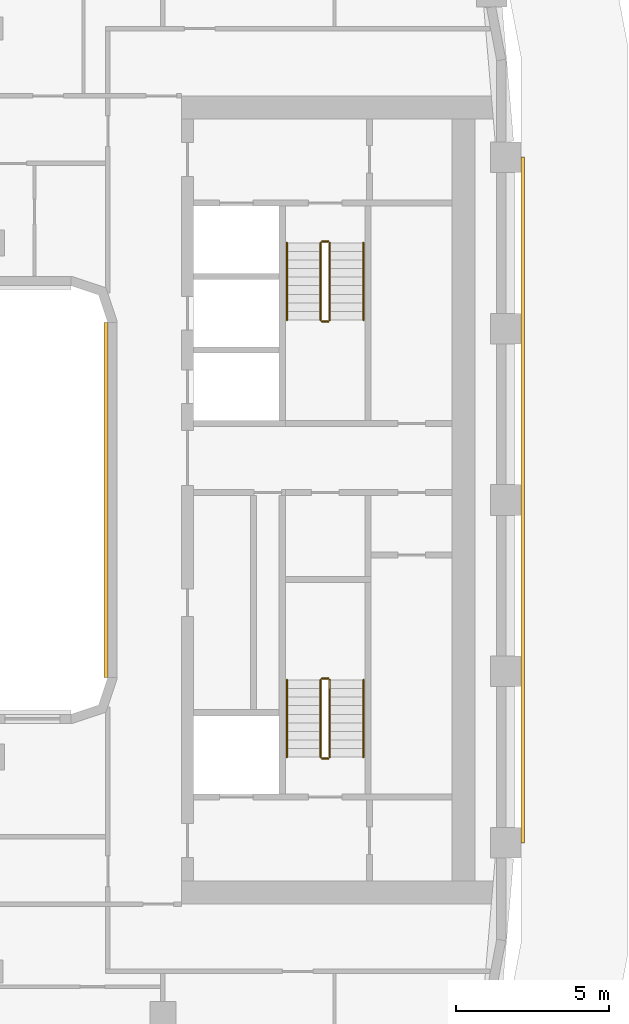
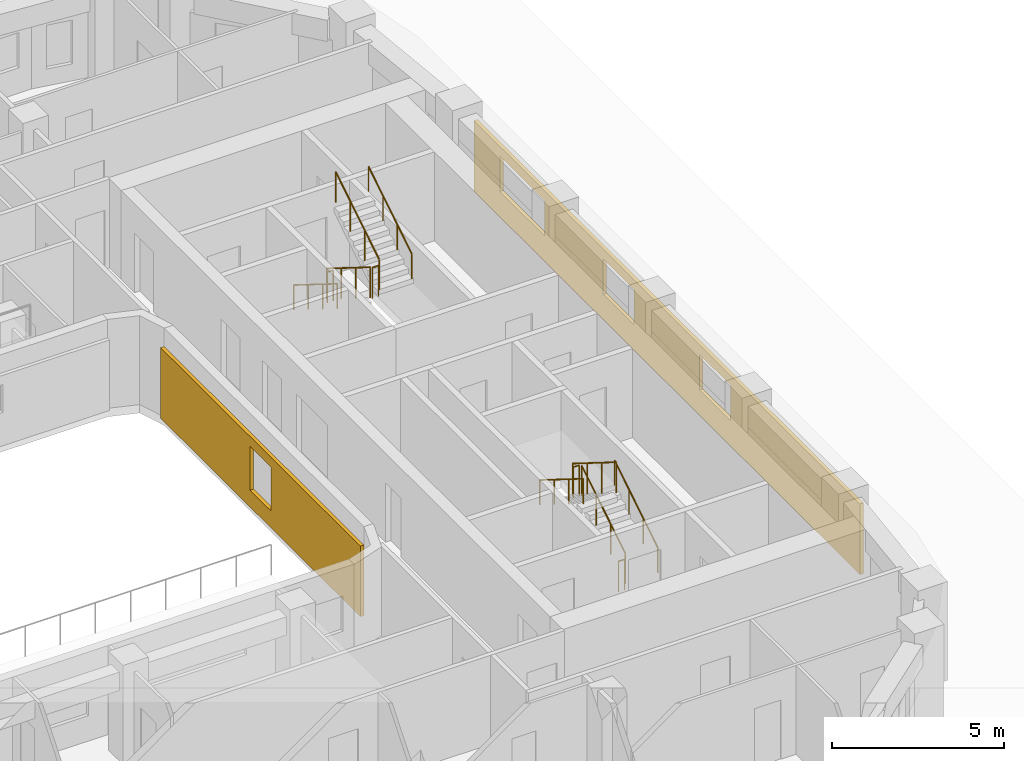
# One storey, part 15 of 17: 12 railings, 2 coverings.
"""IFC4 building model written with IfcOpenShell, lengths in metres."""

from ifc_helpers import new_model, si_unit, direction, frame, origin, origin_2d, place, context, subcontext, project, spatial, polyline, circle, outline, extrude, material, layer, layer_set, type_object, element, save


model = new_model("IFC4")

# Units and contexts
model_context = context("Model", 3, precision=1e-05, world=origin(), true_north=direction((0.0, 1.0)))
body_context = subcontext(model_context, "Body", "Model", "MODEL_VIEW")
ifc_project = project(units=[si_unit("LENGTHUNIT", "METRE"), si_unit("AREAUNIT", "SQUARE_METRE"), si_unit("VOLUMEUNIT", "CUBIC_METRE"), si_unit("PLANEANGLEUNIT", "RADIAN"), si_unit("MASSUNIT", "GRAM", prefix="KILO")], contexts=[model_context])

# Site, building, storey
site_placement = place(None, origin())
site = spatial("IfcSite", under=ifc_project, at=site_placement, CompositionType="ELEMENT")
building_placement = place(site_placement, origin())
building = spatial("IfcBuilding", under=site, at=building_placement, Name="Kiln Ring Residences", CompositionType="ELEMENT")
storey_placement = place(building_placement, frame((0.0, 0.0, 174.60009765625)))
storey = spatial("IfcBuildingStorey", under=building, at=storey_placement, Name="L45", CompositionType="ELEMENT", Elevation=174.60009765625)

# Railings
ifc_material_1 = material(Name="Stainless steel", Category="steel")
railing_type_1 = type_object("IfcRailingType", Name="CORE-STAIR-GUARD", PredefinedType="GUARDRAIL", material=ifc_material_1)
railing_1_placement = place(storey_placement, frame((21.949951171875, 8.39990234375, 0.1748046875)))
element("IfcRailing", 1, at=railing_1_placement, inside=storey, type_object=railing_type_1, Name="L45 E-STN stair guard 1", PredefinedType="GUARDRAIL", context=body_context, shape_type="SweptSolid", body=[
    extrude(circle(Radius=0.02392578125, at=origin_2d()), frame((0.0, 0.0, 1.076171875), z_axis=(0.0, -0.847970611238, 0.530043245855), x_axis=(1.0, 0.0, 0.0)), (0.0, 0.0, 1.0), 2.971923828125),
    extrude(circle(Radius=0.02099609375, at=origin_2d()), origin(), (0.0, 0.0, 1.0), 1.052001953125),
    extrude(circle(Radius=0.02099609375, at=origin_2d()), frame((0.0, -0.840087890625, 0.525146484375)), (0.0, 0.0, 1.0), 1.052001953125),
    extrude(circle(Radius=0.02099609375, at=origin_2d()), frame((0.0, -1.679931640625, 1.050048828125)), (0.0, 0.0, 1.0), 1.052001953125),
    extrude(circle(Radius=0.02099609375, at=origin_2d()), frame((0.0, -2.52001953125, 1.5751953125)), (0.0, 0.0, 1.0), 1.052001953125),
])
railing_2_placement = place(storey_placement, frame((22.0, 5.830078125, 1.75)))
element("IfcRailing", 2, at=railing_2_placement, inside=storey, type_object=railing_type_1, Name="L45 E-STN stair guard 2", PredefinedType="GUARDRAIL", context=body_context, shape_type="SweptSolid", body=[
    extrude(circle(Radius=0.02392578125, at=origin_2d()), frame((0.0, 0.0, 1.076171875), z_axis=(1.0, 0.0, 0.0), x_axis=(0.0, 1.0, 0.0)), (0.0, 0.0, 1.0), 0.199951171875),
    extrude(circle(Radius=0.02099609375, at=origin_2d()), origin(), (0.0, 0.0, 1.0), 1.052001953125),
    extrude(circle(Radius=0.02099609375, at=origin_2d()), frame((0.199951171875, 0.0, 0.0)), (0.0, 0.0, 1.0), 1.052001953125),
])
railing_3_placement = place(storey_placement, frame((22.25, 5.8798828125, 1.9248046875)))
element("IfcRailing", 3, at=railing_3_placement, inside=storey, type_object=railing_type_1, Name="L45 E-STN stair guard 3", PredefinedType="GUARDRAIL", context=body_context, shape_type="SweptSolid", body=[
    extrude(circle(Radius=0.02392578125, at=origin_2d()), frame((0.0, 0.0, 1.076171875), z_axis=(0.0, 0.847970611238, 0.530043245855), x_axis=(-1.0, 0.0, 0.0)), (0.0, 0.0, 1.0), 2.971923828125),
    extrude(circle(Radius=0.02099609375, at=origin_2d()), origin(), (0.0, 0.0, 1.0), 1.052001953125),
    extrude(circle(Radius=0.02099609375, at=origin_2d()), frame((0.0, 0.840087890625, 0.525146484375)), (0.0, 0.0, 1.0), 1.052001953125),
    extrude(circle(Radius=0.02099609375, at=origin_2d()), frame((0.0, 1.679931640625, 1.050048828125)), (0.0, 0.0, 1.0), 1.052001953125),
    extrude(circle(Radius=0.02099609375, at=origin_2d()), frame((0.0, 2.52001953125, 1.5751953125)), (0.0, 0.0, 1.0), 1.052001953125),
])
railing_4_placement = place(storey_placement, frame((22.0, 8.449951171875, 0.0)))
element("IfcRailing", 4, at=railing_4_placement, inside=storey, type_object=railing_type_1, Name="L45 E-STN stair guard 4", PredefinedType="GUARDRAIL", context=body_context, shape_type="SweptSolid", body=[
    extrude(circle(Radius=0.02392578125, at=origin_2d()), frame((0.0, 0.0, 1.076171875), z_axis=(1.0, 0.0, 0.0), x_axis=(0.0, 1.0, 0.0)), (0.0, 0.0, 1.0), 0.199951171875),
    extrude(circle(Radius=0.02099609375, at=origin_2d()), origin(), (0.0, 0.0, 1.0), 1.052001953125),
    extrude(circle(Radius=0.02099609375, at=origin_2d()), frame((0.199951171875, 0.0, 0.0)), (0.0, 0.0, 1.0), 1.052001953125),
])
railing_5_placement = place(storey_placement, frame((22.25, -8.39990234375, 0.1748046875)))
element("IfcRailing", 5, at=railing_5_placement, inside=storey, type_object=railing_type_1, Name="L45 E-STS stair guard 1", PredefinedType="GUARDRAIL", context=body_context, shape_type="SweptSolid", body=[
    extrude(circle(Radius=0.02392578125, at=origin_2d()), frame((0.0, 0.0, 1.076171875), z_axis=(0.0, 0.847970611238, 0.530043245855), x_axis=(-1.0, 0.0, 0.0)), (0.0, 0.0, 1.0), 2.971923828125),
    extrude(circle(Radius=0.02099609375, at=origin_2d()), origin(), (0.0, 0.0, 1.0), 1.052001953125),
    extrude(circle(Radius=0.02099609375, at=origin_2d()), frame((0.0, 0.840087890625, 0.525146484375)), (0.0, 0.0, 1.0), 1.052001953125),
    extrude(circle(Radius=0.02099609375, at=origin_2d()), frame((0.0, 1.679931640625, 1.050048828125)), (0.0, 0.0, 1.0), 1.052001953125),
    extrude(circle(Radius=0.02099609375, at=origin_2d()), frame((0.0, 2.52001953125, 1.5751953125)), (0.0, 0.0, 1.0), 1.052001953125),
])
railing_6_placement = place(storey_placement, frame((22.199951171875, -5.830078125, 1.75)))
element("IfcRailing", 6, at=railing_6_placement, inside=storey, type_object=railing_type_1, Name="L45 E-STS stair guard 2", PredefinedType="GUARDRAIL", context=body_context, shape_type="SweptSolid", body=[
    extrude(circle(Radius=0.02392578125, at=origin_2d()), frame((0.0, 0.0, 1.076171875), z_axis=(-1.0, 0.0, 0.0), x_axis=(0.0, -1.0, 0.0)), (0.0, 0.0, 1.0), 0.199951171875),
    extrude(circle(Radius=0.02099609375, at=origin_2d()), origin(), (0.0, 0.0, 1.0), 1.052001953125),
    extrude(circle(Radius=0.02099609375, at=origin_2d()), frame((-0.199951171875, 0.0, 0.0)), (0.0, 0.0, 1.0), 1.052001953125),
])
railing_7_placement = place(storey_placement, frame((21.949951171875, -5.8798828125, 1.9248046875)))
element("IfcRailing", 7, at=railing_7_placement, inside=storey, type_object=railing_type_1, Name="L45 E-STS stair guard 3", PredefinedType="GUARDRAIL", context=body_context, shape_type="SweptSolid", body=[
    extrude(circle(Radius=0.02392578125, at=origin_2d()), frame((0.0, 0.0, 1.076171875), z_axis=(0.0, -0.847970611238, 0.530043245855), x_axis=(1.0, 0.0, 0.0)), (0.0, 0.0, 1.0), 2.971923828125),
    extrude(circle(Radius=0.02099609375, at=origin_2d()), origin(), (0.0, 0.0, 1.0), 1.052001953125),
    extrude(circle(Radius=0.02099609375, at=origin_2d()), frame((0.0, -0.840087890625, 0.525146484375)), (0.0, 0.0, 1.0), 1.052001953125),
    extrude(circle(Radius=0.02099609375, at=origin_2d()), frame((0.0, -1.679931640625, 1.050048828125)), (0.0, 0.0, 1.0), 1.052001953125),
    extrude(circle(Radius=0.02099609375, at=origin_2d()), frame((0.0, -2.52001953125, 1.5751953125)), (0.0, 0.0, 1.0), 1.052001953125),
])
railing_8_placement = place(storey_placement, frame((22.199951171875, -8.449951171875, 0.0)))
element("IfcRailing", 8, at=railing_8_placement, inside=storey, type_object=railing_type_1, Name="L45 E-STS stair guard 4", PredefinedType="GUARDRAIL", context=body_context, shape_type="SweptSolid", body=[
    extrude(circle(Radius=0.02392578125, at=origin_2d()), frame((0.0, 0.0, 1.076171875), z_axis=(-1.0, 0.0, 0.0), x_axis=(0.0, -1.0, 0.0)), (0.0, 0.0, 1.0), 0.199951171875),
    extrude(circle(Radius=0.02099609375, at=origin_2d()), origin(), (0.0, 0.0, 1.0), 1.052001953125),
    extrude(circle(Radius=0.02099609375, at=origin_2d()), frame((-0.199951171875, 0.0, 0.0)), (0.0, 0.0, 1.0), 1.052001953125),
])
ifc_material_2 = material(Name="Stainless steel", Category="steel")
railing_type_2 = type_object("IfcRailingType", Name="CORE-STAIR-HANDRAIL", PredefinedType="HANDRAIL", material=ifc_material_2)
railing_9_placement = place(storey_placement, frame((20.85009765625, 8.39990234375, 0.1748046875)))
element("IfcRailing", 9, at=railing_9_placement, inside=storey, type_object=railing_type_2, Name="L45 E-STN stair handrail 1", PredefinedType="HANDRAIL", context=body_context, shape_type="SweptSolid", body=[
    extrude(circle(Radius=0.02392578125, at=origin_2d()), frame((0.0, 0.0, 0.8759765625), z_axis=(0.0, -0.847970611238, 0.530043245855), x_axis=(1.0, 0.0, 0.0)), (0.0, 0.0, 1.0), 2.971923828125),
    extrude(circle(Radius=0.02099609375, at=origin_2d()), origin(), (0.0, 0.0, 1.0), 0.851806640625),
    extrude(circle(Radius=0.02099609375, at=origin_2d()), frame((0.0, -0.840087890625, 0.525146484375)), (0.0, 0.0, 1.0), 0.851806640625),
    extrude(circle(Radius=0.02099609375, at=origin_2d()), frame((0.0, -1.679931640625, 1.050048828125)), (0.0, 0.0, 1.0), 0.851806640625),
    extrude(circle(Radius=0.02099609375, at=origin_2d()), frame((0.0, -2.52001953125, 1.5751953125)), (0.0, 0.0, 1.0), 0.851806640625),
])
for number, where, name in (
    (10, (23.35009765625, 5.8798828125, 1.9248046875), "L45 E-STN stair handrail 2"),
    (11, (23.35009765625, -8.39990234375, 0.1748046875), "L45 E-STS stair handrail 1"),
):
    element("IfcRailing", number, at=place(storey_placement, frame(where)), inside=storey, type_object=railing_type_2, Name=name, PredefinedType="HANDRAIL", context=body_context, shape_type="SweptSolid", body=[
        extrude(circle(Radius=0.02392578125, at=origin_2d()), frame((0.0, 0.0, 0.8759765625), z_axis=(0.0, 0.847970611238, 0.530043245855), x_axis=(-1.0, 0.0, 0.0)), (0.0, 0.0, 1.0), 2.971923828125),
        extrude(circle(Radius=0.02099609375, at=origin_2d()), origin(), (0.0, 0.0, 1.0), 0.851806640625),
        extrude(circle(Radius=0.02099609375, at=origin_2d()), frame((0.0, 0.840087890625, 0.525146484375)), (0.0, 0.0, 1.0), 0.851806640625),
        extrude(circle(Radius=0.02099609375, at=origin_2d()), frame((0.0, 1.679931640625, 1.050048828125)), (0.0, 0.0, 1.0), 0.851806640625),
        extrude(circle(Radius=0.02099609375, at=origin_2d()), frame((0.0, 2.52001953125, 1.5751953125)), (0.0, 0.0, 1.0), 0.851806640625),
    ])
railing_10_placement = place(storey_placement, frame((20.85009765625, -5.8798828125, 1.9248046875)))
element("IfcRailing", 12, at=railing_10_placement, inside=storey, type_object=railing_type_2, Name="L45 E-STS stair handrail 2", PredefinedType="HANDRAIL", context=body_context, shape_type="SweptSolid", body=[
    extrude(circle(Radius=0.02392578125, at=origin_2d()), frame((0.0, 0.0, 0.8759765625), z_axis=(0.0, -0.847970611238, 0.530043245855), x_axis=(1.0, 0.0, 0.0)), (0.0, 0.0, 1.0), 2.971923828125),
    extrude(circle(Radius=0.02099609375, at=origin_2d()), origin(), (0.0, 0.0, 1.0), 0.851806640625),
    extrude(circle(Radius=0.02099609375, at=origin_2d()), frame((0.0, -0.840087890625, 0.525146484375)), (0.0, 0.0, 1.0), 0.851806640625),
    extrude(circle(Radius=0.02099609375, at=origin_2d()), frame((0.0, -1.679931640625, 1.050048828125)), (0.0, 0.0, 1.0), 0.851806640625),
    extrude(circle(Radius=0.02099609375, at=origin_2d()), frame((0.0, -2.52001953125, 1.5751953125)), (0.0, 0.0, 1.0), 0.851806640625),
])

# Coverings
ifc_material_3 = material(Name="Brick masonry, dark clay brick", Category="masonry")
ifc_layer = layer(ifc_material_3, 0.1201171875)
ifc_layer_set = layer_set([ifc_layer], Name="RAINSCREEN PANEL 120")
covering_type = type_object("IfcCoveringType", Name="RAINSCREEN PANEL 120", PredefinedType="CLADDING", material=ifc_layer_set)
covering_1_placement = place(storey_placement, frame((28.56005859375, -11.199951171875, 0.0), z_axis=(0.0, 0.0, 1.0), x_axis=(0.0, 1.0, 0.0)))
element("IfcCovering", 13, at=covering_1_placement, inside=storey, type_object=covering_type, Name="RAINSCREEN L45", PredefinedType="CLADDING", context=body_context, shape_type="SweptSolid", body=[
    extrude(outline(polyline([(0.0, 0.0), (22.39990234375, 0.0), (22.39990234375, 2.5), (0.0, 2.5), (0.0, 0.0)]), holes=[polyline([(9.300048828125, 2.14990234375), (7.5, 2.14990234375), (7.5, 0.89990234375), (9.300048828125, 0.89990234375), (9.300048828125, 2.14990234375)]), polyline([(14.89990234375, 0.89990234375), (14.89990234375, 2.14990234375), (13.10009765625, 2.14990234375), (13.10009765625, 0.89990234375), (14.89990234375, 0.89990234375)]), polyline([(20.89990234375, 0.89990234375), (20.89990234375, 2.14990234375), (18.300048828125, 2.14990234375), (18.300048828125, 0.89990234375), (20.89990234375, 0.89990234375)])]), frame((0.0, 0.06005859375, 0.0), z_axis=(0.0, -1.0, 0.0), x_axis=(1.0, 0.0, 0.0)), (0.0, 0.0, 1.0), 0.1201171875),
])
covering_2_placement = place(storey_placement, frame((14.93994140625, 5.800048828125, 0.0), z_axis=(0.0, 0.0, 1.0), x_axis=(0.0, -1.0, 0.0)))
element("IfcCovering", 14, at=covering_2_placement, inside=storey, type_object=covering_type, Name="RAINSCREEN L45", PredefinedType="CLADDING", context=body_context, shape_type="SweptSolid", body=[
    extrude(outline(polyline([(0.0, 0.0), (11.60009765625, 0.0), (11.60009765625, 2.5), (0.0, 2.5), (0.0, 0.0)]), holes=[polyline([(5.199951171875, 2.14990234375), (5.199951171875, 0.599853515625), (6.39990234375, 0.599853515625), (6.39990234375, 2.14990234375), (5.199951171875, 2.14990234375)])]), frame((0.0, 0.06005859375, 0.0), z_axis=(0.0, -1.0, 0.0), x_axis=(1.0, 0.0, 0.0)), (0.0, 0.0, 1.0), 0.1201171875),
])

save(model, "model.ifc")
